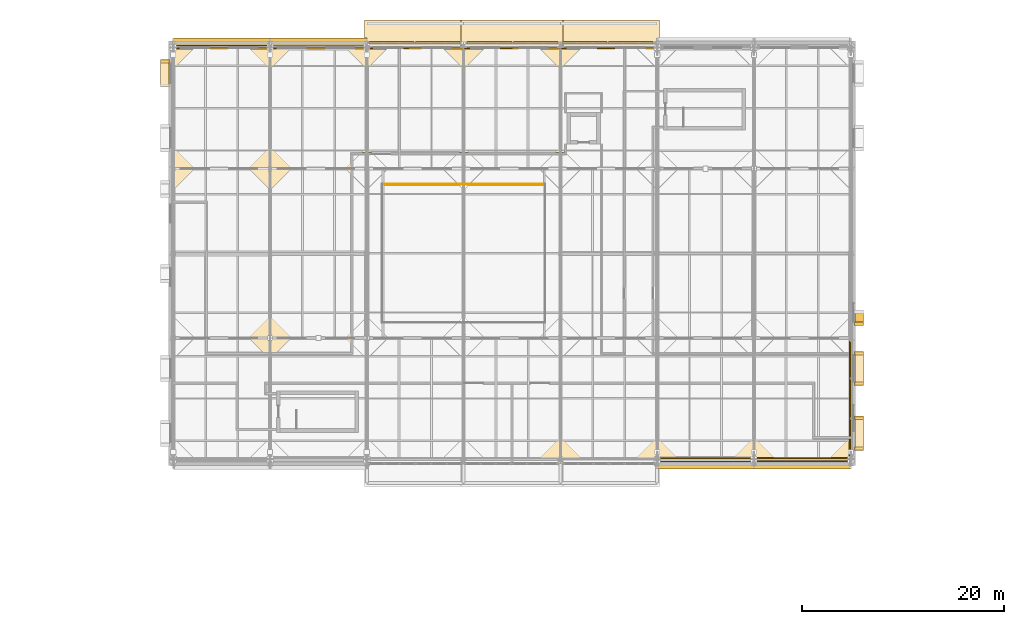
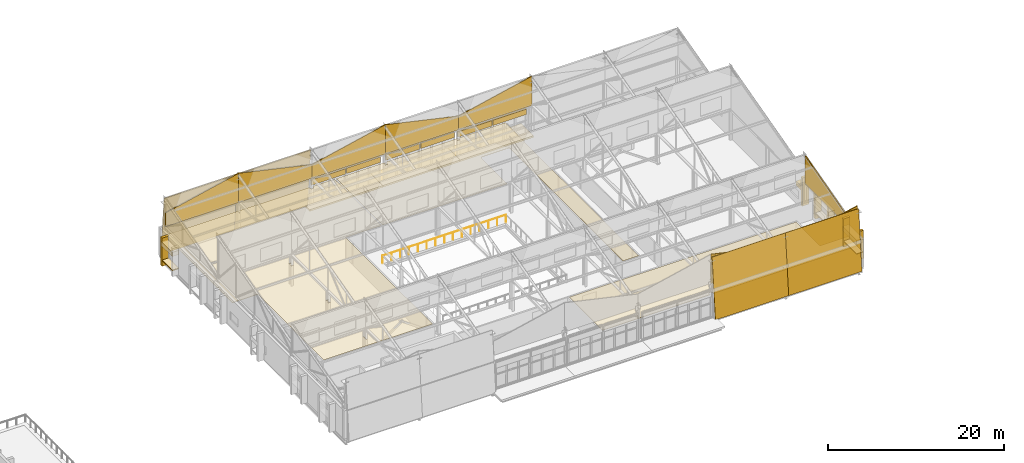
# One storey, part 88 of 89: 37 coverings, 1 railing.
"""IFC4 building model written with IfcOpenShell, lengths in metres."""

from ifc_helpers import new_model, si_unit, direction, frame, origin, origin_2d, place, context, subcontext, project, spatial, polyline, rectangle, circle, outline, extrude, material, layer, layer_set, type_object, element, save


model = new_model("IFC4")

# Units and contexts
model_context = context("Model", 3, precision=1e-05, world=origin(), true_north=direction((0.0, 1.0)))
body_context = subcontext(model_context, "Body", "Model", "MODEL_VIEW")
ifc_project = project(units=[si_unit("LENGTHUNIT", "METRE"), si_unit("AREAUNIT", "SQUARE_METRE"), si_unit("VOLUMEUNIT", "CUBIC_METRE"), si_unit("PLANEANGLEUNIT", "RADIAN"), si_unit("MASSUNIT", "GRAM", prefix="KILO")], contexts=[model_context])

# Site, building, storey
site_placement = place(None, origin())
site = spatial("IfcSite", under=ifc_project, at=site_placement, CompositionType="ELEMENT")
building_placement = place(site_placement, origin())
building = spatial("IfcBuilding", under=site, at=building_placement, Name="Zereglee Splitstone Museum", CompositionType="ELEMENT")
storey_placement = place(building_placement, frame((0.0, 0.0, 21.300048828125)))
storey = spatial("IfcBuildingStorey", under=building, at=storey_placement, Name="L04", CompositionType="ELEMENT", Elevation=21.300048828125)

# Coverings
ifc_material_1 = material(Name="Perforated acoustic gypsum board ceiling", Category="masonry")
ifc_layer_1 = layer(ifc_material_1, 0.044921875)
ifc_layer_set_1 = layer_set([ifc_layer_1], Name="Perforated acoustic gypsum board ceiling")
covering_type_1 = type_object("IfcCoveringType", Name="CLG-02", PredefinedType="CEILING", material=ifc_layer_set_1)
covering_1_placement = place(storey_placement, frame((0.0, 0.0, 2.784912109375)))
element("IfcCovering", 1, at=covering_1_placement, inside=storey, type_object=covering_type_1, Name="Acoustic Ceiling L04-058", PredefinedType="CEILING", context=body_context, shape_type="SweptSolid", body=[
    extrude(outline(polyline([(122.68505859375, 46.138427734375), (122.67333984375, 46.1279296875), (122.672119140625, 46.126708984375), (122.66162109375, 46.114990234375), (122.660400390625, 46.11328125), (122.65087890625, 46.100830078125), (122.64990234375, 46.09912109375), (122.6416015625, 46.085693359375), (122.640869140625, 46.083984375), (122.634033203125, 46.06982421875), (122.63330078125, 46.068115234375), (122.628173828125, 46.05322265625), (122.62744140625, 46.05126953125), (122.623779296875, 46.0361328125), (122.623291015625, 46.0341796875), (122.62109375, 46.0185546875), (122.620849609375, 46.0166015625), (122.6201171875, 46.0009765625), (122.6201171875, 46.0), (122.6201171875, 20.179931640625), (120.580078125, 20.179931640625), (120.580078125, 45.800048828125), (120.580078125, 45.801025390625), (120.5791015625, 45.816650390625), (120.5791015625, 45.818603515625), (120.57666015625, 45.833984375), (120.576416015625, 45.836181640625), (120.572509765625, 45.851318359375), (120.572021484375, 45.853271484375), (120.566650390625, 45.867919921875), (120.56591796875, 45.869873046875), (120.55908203125, 45.884033203125), (120.558349609375, 45.8857421875), (120.55029296875, 45.899169921875), (120.549072265625, 45.90087890625), (120.539794921875, 45.913330078125), (120.53857421875, 45.914794921875), (120.528076171875, 45.926513671875), (120.526611328125, 45.927978515625), (120.514892578125, 45.9384765625), (120.513427734375, 45.939697265625), (120.500732421875, 45.94921875), (120.499267578125, 45.9501953125), (120.485595703125, 45.958251953125), (120.48388671875, 45.959228515625), (120.4697265625, 45.9658203125), (120.468017578125, 45.966796875), (120.453125, 45.971923828125), (120.451416015625, 45.972412109375), (120.43603515625, 45.976318359375), (120.43408203125, 45.976806640625), (120.418701171875, 45.97900390625), (120.416748046875, 45.979248046875), (120.40087890625, 45.97998046875), (120.39990234375, 45.97998046875), (117.0, 45.97998046875), (116.9990234375, 45.97998046875), (116.9833984375, 45.979248046875), (116.9814453125, 45.97900390625), (116.9658203125, 45.976806640625), (116.9638671875, 45.976318359375), (116.94873046875, 45.972412109375), (116.94677734375, 45.971923828125), (116.931884765625, 45.966796875), (116.93017578125, 45.9658203125), (116.916015625, 45.959228515625), (116.914306640625, 45.958251953125), (116.90087890625, 45.9501953125), (116.899169921875, 45.94921875), (116.88671875, 45.939697265625), (116.885009765625, 45.9384765625), (116.873291015625, 45.927978515625), (116.8720703125, 45.926513671875), (116.861572265625, 45.914794921875), (116.8603515625, 45.913330078125), (116.850830078125, 45.90087890625), (116.849853515625, 45.899169921875), (116.841796875, 45.8857421875), (116.8408203125, 45.884033203125), (116.833984375, 45.869873046875), (116.833251953125, 45.867919921875), (116.828125, 45.853271484375), (116.827392578125, 45.851318359375), (116.82373046875, 45.836181640625), (116.8232421875, 45.833984375), (116.821044921875, 45.818603515625), (116.82080078125, 45.816650390625), (116.820068359375, 45.801025390625), (116.820068359375, 45.800048828125), (116.820068359375, 39.97998046875), (100.512939453125, 39.97998046875), (100.512939453125, 50.5400390625), (106.7841796875, 50.5400390625), (106.7841796875, 50.137939453125), (106.64208984375, 50.137939453125), (106.64208984375, 50.092041015625), (106.9580078125, 50.092041015625), (106.9580078125, 50.137939453125), (106.815673828125, 50.137939453125), (106.815673828125, 50.5400390625), (116.3857421875, 50.5400390625), (116.3857421875, 50.25048828125), (116.241943359375, 50.25048828125), (116.241943359375, 50.2119140625), (116.55810546875, 50.2119140625), (116.55810546875, 50.25048828125), (116.414306640625, 50.25048828125), (116.414306640625, 50.5400390625), (122.68701171875, 50.5400390625), (122.68701171875, 46.14013671875), (122.6865234375, 46.1396484375), (122.68505859375, 46.138427734375)])), origin(), (0.0, 0.0, 1.0), 0.044921875),
])
ifc_material_2 = material(Name="Siberian larch acoustic timber ceiling", Category="wood")
ifc_layer_2 = layer(ifc_material_2, 0.06005859375)
ifc_layer_set_2 = layer_set([ifc_layer_2], Name="Siberian larch acoustic timber ceiling")
covering_type_2 = type_object("IfcCoveringType", Name="CLG-01", PredefinedType="CEILING", material=ifc_layer_set_2)
covering_2_placement = place(storey_placement, frame((0.0, 0.0, 2.77001953125)))
element("IfcCovering", 2, at=covering_2_placement, inside=storey, type_object=covering_type_2, Name="Acoustic Ceiling L04-056", PredefinedType="CEILING", context=body_context, shape_type="SweptSolid", body=[
    extrude(outline(polyline([(111.699951171875, 17.02001953125), (141.419921875, 17.02001953125), (141.419921875, 11.800048828125), (141.419921875, 11.799072265625), (141.4208984375, 11.783203125), (141.4208984375, 11.781494140625), (141.42333984375, 11.765869140625), (141.423583984375, 11.763916015625), (141.427490234375, 11.748779296875), (141.427978515625, 11.746826171875), (141.433349609375, 11.73193359375), (141.43408203125, 11.730224609375), (141.44091796875, 11.716064453125), (141.441650390625, 11.71435546875), (141.44970703125, 11.70068359375), (141.450927734375, 11.69921875), (141.460205078125, 11.6865234375), (141.46142578125, 11.68505859375), (141.471923828125, 11.67333984375), (141.473388671875, 11.672119140625), (141.485107421875, 11.66162109375), (141.486572265625, 11.660400390625), (141.499267578125, 11.65087890625), (141.500732421875, 11.64990234375), (141.514404296875, 11.6416015625), (141.51611328125, 11.640869140625), (141.5302734375, 11.634033203125), (141.531982421875, 11.63330078125), (141.546875, 11.628173828125), (141.548583984375, 11.62744140625), (141.56396484375, 11.623779296875), (141.56591796875, 11.623291015625), (141.581298828125, 11.62109375), (141.583251953125, 11.620849609375), (141.59912109375, 11.6201171875), (141.60009765625, 11.6201171875), (145.139892578125, 11.6201171875), (145.139892578125, 9.80810546875), (145.0419921875, 9.80810546875), (145.0419921875, 9.76806640625), (145.139892578125, 9.76806640625), (145.139892578125, 9.4599609375), (135.615966796875, 9.4599609375), (135.615966796875, 9.885986328125), (135.758056640625, 9.885986328125), (135.758056640625, 9.93310546875), (135.44189453125, 9.93310546875), (135.44189453125, 9.885986328125), (135.583984375, 9.885986328125), (135.583984375, 9.4599609375), (126.189697265625, 9.4599609375), (126.196533203125, 9.468505859375), (126.218505859375, 9.509521484375), (126.23193359375, 9.553955078125), (126.236572265625, 9.60009765625), (126.23193359375, 9.64599609375), (126.218505859375, 9.6904296875), (126.196533203125, 9.7314453125), (126.167236328125, 9.76708984375), (126.13134765625, 9.796630859375), (126.090576171875, 9.818603515625), (126.046142578125, 9.83203125), (126.0, 9.83642578125), (125.953857421875, 9.83203125), (125.909423828125, 9.818603515625), (125.86865234375, 9.796630859375), (125.832763671875, 9.76708984375), (125.803466796875, 9.7314453125), (125.781494140625, 9.6904296875), (125.76806640625, 9.64599609375), (125.763427734375, 9.60009765625), (125.76806640625, 9.553955078125), (125.781494140625, 9.509521484375), (125.803466796875, 9.468505859375), (125.810302734375, 9.4599609375), (116.41552734375, 9.4599609375), (116.41552734375, 9.837890625), (116.55810546875, 9.837890625), (116.55810546875, 9.883056640625), (116.241943359375, 9.883056640625), (116.241943359375, 9.837890625), (116.384521484375, 9.837890625), (116.384521484375, 9.4599609375), (111.699951171875, 9.4599609375), (111.699951171875, 17.02001953125)])), origin(), (0.0, 0.0, 1.0), 0.059814453125),
])
covering_3_placement = place(storey_placement, frame((0.0, 0.0, 2.77001953125)))
element("IfcCovering", 3, at=covering_3_placement, inside=storey, type_object=covering_type_2, Name="Acoustic Ceiling L04-057", PredefinedType="CEILING", context=body_context, shape_type="SweptSolid", body=[
    extrude(outline(polyline([(81.3798828125, 35.0), (81.3798828125, 35.0009765625), (81.379150390625, 35.0166015625), (81.37890625, 35.0185546875), (81.376708984375, 35.0341796875), (81.376220703125, 35.0361328125), (81.37255859375, 35.05126953125), (81.371826171875, 35.05322265625), (81.36669921875, 35.068115234375), (81.365966796875, 35.06982421875), (81.359130859375, 35.083984375), (81.3583984375, 35.085693359375), (81.35009765625, 35.09912109375), (81.34912109375, 35.100830078125), (81.339599609375, 35.11328125), (81.33837890625, 35.114990234375), (81.327880859375, 35.126708984375), (81.32666015625, 35.1279296875), (81.31494140625, 35.138427734375), (81.3134765625, 35.1396484375), (81.30078125, 35.149169921875), (81.29931640625, 35.150146484375), (81.28564453125, 35.158203125), (81.283935546875, 35.1591796875), (81.269775390625, 35.166015625), (81.26806640625, 35.166748046875), (81.253173828125, 35.171875), (81.251220703125, 35.172607421875), (81.236083984375, 35.17626953125), (81.234130859375, 35.1767578125), (81.218505859375, 35.178955078125), (81.216796875, 35.17919921875), (81.200927734375, 35.179931640625), (81.199951171875, 35.179931640625), (78.06005859375, 35.179931640625), (78.06005859375, 38.241943359375), (78.157958984375, 38.241943359375), (78.157958984375, 38.55810546875), (78.06005859375, 38.55810546875), (78.06005859375, 50.0419921875), (78.157958984375, 50.0419921875), (78.157958984375, 50.090087890625), (78.06005859375, 50.090087890625), (78.06005859375, 50.5400390625), (87.5849609375, 50.5400390625), (87.5849609375, 50.208984375), (87.44189453125, 50.208984375), (87.44189453125, 50.1669921875), (87.758056640625, 50.1669921875), (87.758056640625, 50.208984375), (87.614990234375, 50.208984375), (87.614990234375, 50.5400390625), (97.01708984375, 50.5400390625), (97.01708984375, 50.217041015625), (97.383056640625, 50.217041015625), (97.383056640625, 50.5400390625), (100.31298828125, 50.5400390625), (100.31298828125, 39.97998046875), (95.800048828125, 39.97998046875), (95.799072265625, 39.97998046875), (95.783203125, 39.979248046875), (95.781494140625, 39.97900390625), (95.765869140625, 39.976806640625), (95.763916015625, 39.976318359375), (95.748779296875, 39.972412109375), (95.746826171875, 39.971923828125), (95.73193359375, 39.966796875), (95.730224609375, 39.9658203125), (95.716064453125, 39.959228515625), (95.71435546875, 39.958251953125), (95.70068359375, 39.9501953125), (95.69921875, 39.94921875), (95.6865234375, 39.939697265625), (95.68505859375, 39.9384765625), (95.67333984375, 39.927978515625), (95.672119140625, 39.926513671875), (95.66162109375, 39.914794921875), (95.660400390625, 39.913330078125), (95.65087890625, 39.90087890625), (95.64990234375, 39.899169921875), (95.6416015625, 39.8857421875), (95.640869140625, 39.884033203125), (95.634033203125, 39.869873046875), (95.63330078125, 39.867919921875), (95.628173828125, 39.853271484375), (95.62744140625, 39.851318359375), (95.623779296875, 39.836181640625), (95.623291015625, 39.833984375), (95.62109375, 39.818603515625), (95.620849609375, 39.816650390625), (95.6201171875, 39.801025390625), (95.6201171875, 39.800048828125), (95.6201171875, 20.199951171875), (95.6201171875, 20.198974609375), (95.620849609375, 20.183349609375), (95.62109375, 20.181396484375), (95.62109375, 20.179931640625), (81.3798828125, 20.179931640625), (81.3798828125, 35.0)]), holes=[polyline([(87.44189453125, 21.907958984375), (87.44189453125, 21.862060546875), (87.584228515625, 21.862060546875), (87.584228515625, 21.337890625), (87.44189453125, 21.337890625), (87.44189453125, 21.2919921875), (87.758056640625, 21.2919921875), (87.758056640625, 21.337890625), (87.61572265625, 21.337890625), (87.61572265625, 21.862060546875), (87.758056640625, 21.862060546875), (87.758056640625, 21.907958984375), (87.44189453125, 21.907958984375)]), polyline([(87.44189453125, 30.282958984375), (87.44189453125, 30.238037109375), (87.58447265625, 30.238037109375), (87.58447265625, 29.761962890625), (87.44189453125, 29.761962890625), (87.44189453125, 29.717041015625), (87.758056640625, 29.717041015625), (87.758056640625, 29.761962890625), (87.615478515625, 29.761962890625), (87.615478515625, 30.238037109375), (87.758056640625, 30.238037109375), (87.758056640625, 30.282958984375), (87.44189453125, 30.282958984375)]), polyline([(87.44189453125, 38.657958984375), (87.44189453125, 38.614013671875), (87.584716796875, 38.614013671875), (87.584716796875, 38.18603515625), (87.44189453125, 38.18603515625), (87.44189453125, 38.14208984375), (87.758056640625, 38.14208984375), (87.758056640625, 38.18603515625), (87.615234375, 38.18603515625), (87.615234375, 38.614013671875), (87.758056640625, 38.614013671875), (87.758056640625, 38.657958984375), (87.44189453125, 38.657958984375)])]), origin(), (0.0, 0.0, 1.0), 0.059814453125),
])
ifc_material_3 = material(Name="Honed Gobi pale limestone stringcourse and soffit cladding", Category="masonry")
ifc_layer_3 = layer(ifc_material_3, 0.070068359375)
ifc_layer_set_3 = layer_set([ifc_layer_3], Name="Honed Gobi pale limestone stringcourse and soffit cladding")
covering_type_3 = type_object("IfcCoveringType", Name="CL-02", PredefinedType="CLADDING", material=ifc_layer_set_3)
for number, where, z_axis, x_axis, name in (
    (4, (146.02490234375, 10.6298828125, 0.0), (0.0, 0.0, 1.0), (0.0, 1.0, 0.0), "Mughal Window Reveal Stone Pilaster L04-0142L"),
    (5, (146.02490234375, 13.669921875, 0.0), (0.0, 0.0, 1.0), (0.0, 1.0, 0.0), "Mughal Window Reveal Stone Pilaster L04-0142R"),
):
    element("IfcCovering", number, at=place(storey_placement, frame(where, z_axis=z_axis, x_axis=x_axis)), inside=storey, type_object=covering_type_3, Name=name, PredefinedType="CLADDING", context=body_context, shape_type="SweptSolid", body=[
        extrude(rectangle(XDim=0.340087890625, YDim=0.860107421875, at=origin_2d()), origin(), (0.0, 0.0, 1.0), 3.89990234375),
    ])
covering_4_placement = place(storey_placement, frame((146.034912109375, 12.14990234375, 0.760009765625), z_axis=(0.0, 0.0, 1.0), x_axis=(0.0, 1.0, 0.0)))
element("IfcCovering", 6, at=covering_4_placement, inside=storey, type_object=covering_type_3, Name="Carved Limestone Window Sill L04-0142", PredefinedType="CLADDING", context=body_context, shape_type="SweptSolid", body=[
    extrude(rectangle(XDim=3.239990234375, YDim=0.840087890625, at=origin_2d()), origin(), (0.0, 0.0, 1.0), 0.1201171875),
])
for number, where, z_axis, x_axis, name in (
    (7, (146.02490234375, 17.050048828125, 0.0), (0.0, 0.0, 1.0), (0.0, 1.0, 0.0), "Mughal Window Reveal Stone Pilaster L04-0143L"),
    (8, (146.02490234375, 20.090087890625, 0.0), (0.0, 0.0, 1.0), (0.0, 1.0, 0.0), "Mughal Window Reveal Stone Pilaster L04-0143R"),
):
    element("IfcCovering", number, at=place(storey_placement, frame(where, z_axis=z_axis, x_axis=x_axis)), inside=storey, type_object=covering_type_3, Name=name, PredefinedType="CLADDING", context=body_context, shape_type="SweptSolid", body=[
        extrude(rectangle(XDim=0.340087890625, YDim=0.860107421875, at=origin_2d()), origin(), (0.0, 0.0, 1.0), 3.89990234375),
    ])
covering_5_placement = place(storey_placement, frame((146.034912109375, 18.570068359375, 0.760009765625), z_axis=(0.0, 0.0, 1.0), x_axis=(0.0, 1.0, 0.0)))
element("IfcCovering", 9, at=covering_5_placement, inside=storey, type_object=covering_type_3, Name="Carved Limestone Window Sill L04-0143", PredefinedType="CLADDING", context=body_context, shape_type="SweptSolid", body=[
    extrude(rectangle(XDim=3.239990234375, YDim=0.840087890625, at=origin_2d()), origin(), (0.0, 0.0, 1.0), 0.1201171875),
])
covering_6_placement = place(storey_placement, frame((146.02490234375, 23.014892578125, 0.0), z_axis=(0.0, 0.0, 1.0), x_axis=(0.0, 1.0, 0.0)))
element("IfcCovering", 10, at=covering_6_placement, inside=storey, type_object=covering_type_3, Name="Mughal Window Reveal Stone Pilaster L04-0144L", PredefinedType="CLADDING", context=body_context, shape_type="SweptSolid", body=[
    extrude(rectangle(XDim=0.340087890625, YDim=0.860107421875, at=origin_2d()), origin(), (0.0, 0.0, 1.0), 3.89990234375),
])
for number, where, z_axis, x_axis, name in (
    (11, (123.3984375, 50.8798828125, 2.804931640625), (0.0, 0.0, 1.0), (-1.0, 0.0, 0.0), "Mughal Carved Clerestory Jaali Frieze RC4-CW-L04-125-1"),
    (12, (118.83154296875, 50.8798828125, 2.784912109375), (0.0, 0.0, 1.0), (-1.0, 0.0, 0.0), "Mughal Carved Clerestory Jaali Frieze RC4-CW-L04-125-2"),
):
    element("IfcCovering", number, at=place(storey_placement, frame(where, z_axis=z_axis, x_axis=x_axis)), inside=storey, type_object=covering_type_3, Name=name, PredefinedType="CLADDING", context=body_context, shape_type="SweptSolid", body=[
        extrude(rectangle(XDim=4.409912109375, YDim=0.239990234375, at=origin_2d()), origin(), (0.0, 0.0, 1.0), 0.75),
    ])
for number, where, z_axis, x_axis, name in (
    (13, (113.9560546875, 50.8798828125, 2.925048828125), (0.0, 0.0, 1.0), (-1.0, 0.0, 0.0), "Mughal Carved Clerestory Jaali Frieze RC4-CW-L04-126-1"),
    (14, (109.364013671875, 50.8798828125, 2.905029296875), (0.0, 0.0, 1.0), (-1.0, 0.0, 0.0), "Mughal Carved Clerestory Jaali Frieze RC4-CW-L04-126-2"),
    (15, (104.23486328125, 50.8798828125, 2.864990234375), (0.0, 0.0, 1.0), (-1.0, 0.0, 0.0), "Mughal Carved Clerestory Jaali Frieze RC4-CW-L04-127-1"),
    (16, (99.64013671875, 50.8798828125, 2.844970703125), (0.0, 0.0, 1.0), (-1.0, 0.0, 0.0), "Mughal Carved Clerestory Jaali Frieze RC4-CW-L04-127-2"),
):
    element("IfcCovering", number, at=place(storey_placement, frame(where, z_axis=z_axis, x_axis=x_axis)), inside=storey, type_object=covering_type_3, Name=name, PredefinedType="CLADDING", context=body_context, shape_type="SweptSolid", body=[
        extrude(rectangle(XDim=4.429931640625, YDim=0.239990234375, at=origin_2d()), origin(), (0.0, 0.0, 1.0), 0.75),
    ])
covering_7_placement = place(storey_placement, frame((77.175048828125, 49.044921875, 0.0), z_axis=(0.0, 0.0, 1.0), x_axis=(0.0, -1.0, 0.0)))
element("IfcCovering", 17, at=covering_7_placement, inside=storey, type_object=covering_type_3, Name="Mughal Window Reveal Stone Pilaster L04-0147L", PredefinedType="CLADDING", context=body_context, shape_type="SweptSolid", body=[
    extrude(rectangle(XDim=0.340087890625, YDim=0.860107421875, at=origin_2d()), origin(), (0.0, 0.0, 1.0), 3.89990234375),
])
covering_8_placement = place(storey_placement, frame((77.1650390625, 47.85009765625, 0.760009765625), z_axis=(0.0, 0.0, 1.0), x_axis=(0.0, -1.0, 0.0)))
element("IfcCovering", 18, at=covering_8_placement, inside=storey, type_object=covering_type_3, Name="Carved Limestone Window Sill L04-0147", PredefinedType="CLADDING", context=body_context, shape_type="SweptSolid", body=[
    extrude(rectangle(XDim=2.590087890625, YDim=0.840087890625, at=origin_2d()), origin(), (0.0, 0.0, 1.0), 0.1201171875),
])
covering_9_placement = place(storey_placement, frame((126.0, 8.612060546875, -0.25), z_axis=(0.0, -0.995861258776, 0.09088648562), x_axis=(1.0, 0.0, 0.0)))
element("IfcCovering", 19, at=covering_9_placement, inside=storey, type_object=covering_type_3, Name="Split-Rock Continuous Inclined Facet FH-V2SE L04.1", PredefinedType="CLADDING", context=body_context, shape_type="SweptSolid", body=[
    extrude(outline(polyline([(0.0, 0.0), (9.60009765625, 0.0), (9.60009765625, 8.28428651812085), (0.0, 8.28428651812085), (0.0, 0.0)])), origin(), (0.0, 0.0, -1.0), 0.070068359375),
])
covering_10_placement = place(storey_placement, frame((135.60009765625, 8.612060546875, -0.25), z_axis=(0.0, -0.995861258776, 0.09088648562), x_axis=(1.0, 0.0, 0.0)))
element("IfcCovering", 20, at=covering_10_placement, inside=storey, type_object=covering_type_3, Name="Split-Rock Continuous Inclined Facet FH-V2SE L04.2", PredefinedType="CLADDING", context=body_context, shape_type="SweptSolid", body=[
    extrude(outline(polyline([(0.0, 0.0), (9.599853515625, 0.0), (9.599853515625, 8.28428651812085), (0.0, 8.28428651812085), (0.0, 0.0)])), origin(), (0.0, 0.0, -1.0), 0.070068359375),
])
ifc_material_4 = material(Name="Honed Khoroo red sandstone ventilated rainscreen", Category="masonry")
ifc_layer_4 = layer(ifc_material_4, 0.080078125)
ifc_layer_set_4 = layer_set([ifc_layer_4], Name="Honed Khoroo red sandstone ventilated rainscreen")
covering_type_4 = type_object("IfcCoveringType", Name="CL-01", PredefinedType="CLADDING", material=ifc_layer_set_4)
for number, where, z_axis, x_axis, name in (
    (21, (146.034912109375, 12.14990234375, 2.159912109375), (0.0, 0.0, 1.0), (0.0, 1.0, 0.0), "Pointed-Arch Mughal Window Hood L04-0142"),
    (22, (146.034912109375, 18.570068359375, 2.159912109375), (0.0, 0.0, 1.0), (0.0, 1.0, 0.0), "Pointed-Arch Mughal Window Hood L04-0143"),
):
    element("IfcCovering", number, at=place(storey_placement, frame(where, z_axis=z_axis, x_axis=x_axis)), inside=storey, type_object=covering_type_4, Name=name, PredefinedType="CLADDING", context=body_context, shape_type="SweptSolid", body=[
        extrude(rectangle(XDim=3.239990234375, YDim=0.860107421875, at=origin_2d()), origin(), (0.0, 0.0, 1.0), 0.580078125),
    ])
covering_11_placement = place(storey_placement, frame((146.034912109375, 23.610107421875, 2.059814453125), z_axis=(0.0, 0.0, 1.0), x_axis=(0.0, 1.0, 0.0)))
element("IfcCovering", 23, at=covering_11_placement, inside=storey, type_object=covering_type_4, Name="Pointed-Arch Mughal Window Hood L04-0144", PredefinedType="CLADDING", context=body_context, shape_type="SweptSolid", body=[
    extrude(rectangle(XDim=1.389892578125, YDim=0.860107421875, at=origin_2d()), origin(), (0.0, 0.0, 1.0), 0.580078125),
])
covering_12_placement = place(storey_placement, frame((77.1650390625, 47.85009765625, 2.760009765625), z_axis=(0.0, 0.0, 1.0), x_axis=(0.0, -1.0, 0.0)))
element("IfcCovering", 24, at=covering_12_placement, inside=storey, type_object=covering_type_4, Name="Pointed-Arch Mughal Window Hood L04-0147", PredefinedType="CLADDING", context=body_context, shape_type="SweptSolid", body=[
    extrude(rectangle(XDim=2.590087890625, YDim=0.860107421875, at=origin_2d()), origin(), (0.0, 0.0, 1.0), 0.580078125),
])
covering_13_placement = place(storey_placement, frame((78.0, 50.6201171875, 8.0), z_axis=(0.0, 0.995861258776, 0.09088648562), x_axis=(1.0, 0.0, 0.0)))
element("IfcCovering", 25, at=covering_13_placement, inside=storey, type_object=covering_type_4, Name="Split-Rock Continuous Inclined Facet FH-V2NW L04.1", PredefinedType="CLADDING", context=body_context, shape_type="SweptSolid", body=[
    extrude(outline(polyline([(0.0, 0.0), (9.60009765625, 0.0), (9.60009765625, 8.28428651812085), (0.0, 8.28428651812085), (0.0, 0.0)])), origin(), (0.0, 0.0, -1.0), 0.080078125),
])
covering_14_placement = place(storey_placement, frame((87.60009765625, 50.6201171875, 8.0), z_axis=(0.0, 0.995861258776, 0.09088648562), x_axis=(1.0, 0.0, 0.0)))
element("IfcCovering", 26, at=covering_14_placement, inside=storey, type_object=covering_type_4, Name="Split-Rock Continuous Inclined Facet FH-V2NW L04.2", PredefinedType="CLADDING", context=body_context, shape_type="SweptSolid", body=[
    extrude(outline(polyline([(0.0, 0.0), (9.599853515625, 0.0), (9.599853515625, 8.28428651812085), (0.0, 8.28428651812085), (0.0, 0.0)])), origin(), (0.0, 0.0, -1.0), 0.080078125),
])
covering_15_placement = place(storey_placement, frame((78.0, 50.39990234375, 6.099853515625), z_axis=(0.0, 1.0, 0.0), x_axis=(0.975824263924, 0.0, 0.218556642398)))
element("IfcCovering", 27, at=covering_15_placement, inside=storey, type_object=covering_type_4, Name="Sawtooth Split-Rock Cheek Cladding N Bay 1", PredefinedType="CLADDING", context=body_context, shape_type="SweptSolid", body=[
    extrude(outline(polyline([(0.0, 0.0), (9.837937025301947, 4.440892098500626e-16), (8.952771951878153, 3.9521359165630097), (-0.4152362771344846, 1.8539708061181106), (0.0, 0.0)])), origin(), (0.0, 0.0, -1.0), 0.1201171875),
])
covering_16_placement = place(storey_placement, frame((87.60009765625, 50.39990234375, 8.25), z_axis=(0.0, 1.0, 0.0), x_axis=(0.975823078484, 0.0, -0.218561935154)))
element("IfcCovering", 28, at=covering_16_placement, inside=storey, type_object=covering_type_4, Name="Sawtooth Split-Rock Cheek Cladding N Bay 2", PredefinedType="CLADDING", context=body_context, shape_type="SweptSolid", body=[
    extrude(outline(polyline([(0.0, 0.0), (9.837698787100967, 4.440892098500626e-16), (10.25294511995537, 1.8539685538966713), (0.8851865093448589, 3.952131115470557), (0.0, 0.0)])), origin(), (0.0, 0.0, -1.0), 0.1201171875),
])
covering_17_placement = place(storey_placement, frame((97.199951171875, 50.39990234375, 6.099853515625), z_axis=(0.0, 1.0, 0.0), x_axis=(0.975824263924, 0.0, 0.218556642398)))
element("IfcCovering", 29, at=covering_17_placement, inside=storey, type_object=covering_type_4, Name="Sawtooth Split-Rock Cheek Cladding N Bay 3", PredefinedType="CLADDING", context=body_context, shape_type="SweptSolid", body=[
    extrude(outline(polyline([(0.0, 0.0), (9.837937025301947, 4.440892098500626e-16), (8.952771951878153, 3.9521359165630097), (-0.4152362771344846, 1.8539708061181106), (0.0, 0.0)])), origin(), (0.0, 0.0, -1.0), 0.1201171875),
])
covering_18_placement = place(storey_placement, frame((106.800048828125, 50.39990234375, 8.25), z_axis=(0.0, 1.0, 0.0), x_axis=(0.975823078484, 0.0, -0.218561935154)))
element("IfcCovering", 30, at=covering_18_placement, inside=storey, type_object=covering_type_4, Name="Sawtooth Split-Rock Cheek Cladding N Bay 4", PredefinedType="CLADDING", context=body_context, shape_type="SweptSolid", body=[
    extrude(outline(polyline([(0.0, 0.0), (9.837698787100967, 4.440892098500626e-16), (10.25294511995537, 1.8539685538966713), (0.8851865093448589, 3.952131115470557), (0.0, 0.0)])), origin(), (0.0, 0.0, -1.0), 0.1201171875),
])
covering_19_placement = place(storey_placement, frame((116.39990234375, 50.39990234375, 6.099853515625), z_axis=(0.0, 1.0, 0.0), x_axis=(0.975824263924, 0.0, 0.218556642398)))
element("IfcCovering", 31, at=covering_19_placement, inside=storey, type_object=covering_type_4, Name="Sawtooth Split-Rock Cheek Cladding N Bay 5", PredefinedType="CLADDING", context=body_context, shape_type="SweptSolid", body=[
    extrude(outline(polyline([(0.0, 0.0), (9.837937025301947, 4.440892098500626e-16), (8.952771951878153, 3.9521359165630097), (-0.4152362771344846, 1.8539708061181106), (0.0, 0.0)])), origin(), (0.0, 0.0, -1.0), 0.1201171875),
])
covering_20_placement = place(storey_placement, frame((126.0, 9.60009765625, 4.199951171875), z_axis=(0.0, -1.0, 0.0), x_axis=(1.0, 0.0, 0.0)))
element("IfcCovering", 32, at=covering_20_placement, inside=storey, type_object=covering_type_4, Name="Sawtooth Split-Rock Cheek Cladding S Bay 6", PredefinedType="CLADDING", context=body_context, shape_type="SweptSolid", body=[
    extrude(outline(polyline([(0.0, 0.0), (9.60009765625, 0.0), (9.60009765625, 1.89990234375), (0.0, 4.050048828125), (0.0, 0.0)])), origin(), (0.0, 0.0, -1.0), 0.1201171875),
])
covering_21_placement = place(storey_placement, frame((135.60009765625, 9.60009765625, 4.199951171875), z_axis=(0.0, -1.0, 0.0), x_axis=(1.0, 0.0, 0.0)))
element("IfcCovering", 33, at=covering_21_placement, inside=storey, type_object=covering_type_4, Name="Sawtooth Split-Rock Cheek Cladding S Bay 7", PredefinedType="CLADDING", context=body_context, shape_type="SweptSolid", body=[
    extrude(outline(polyline([(0.0, 0.0), (9.599853515625, 0.0), (9.599853515625, 4.050048828125), (0.0, 1.89990234375), (0.0, 0.0)])), origin(), (0.0, 0.0, -1.0), 0.1201171875),
])
covering_22_placement = place(storey_placement, frame((145.199951171875, 9.75, 4.199951171875), z_axis=(1.0, 0.0, 0.0), x_axis=(0.0, 1.0, 0.0)))
element("IfcCovering", 34, at=covering_22_placement, inside=storey, type_object=covering_type_4, Name="Sawtooth End Gable Split-Rock Cladding E-1", PredefinedType="CLADDING", context=body_context, shape_type="SweptSolid", body=[
    extrude(outline(polyline([(0.0, 0.0), (11.550048828125, 0.0), (11.550048828125, 3.919921875), (0.0, 0.719970703125), (0.0, 0.0)])), origin(), (0.0, 0.0, -1.0), 0.1201171875),
])

# Railing
ifc_material_5 = material(Name="Glazed laminated glass and bronze balustrade", Category="glass")
railing_type = type_object("IfcRailingType", Name="GR-02", PredefinedType="BALUSTRADE", material=ifc_material_5)
railing_placement = place(storey_placement, frame((114.8798828125, 36.8798828125, 0.0)))
element("IfcRailing", 35, at=railing_placement, inside=storey, type_object=railing_type, Name="Atrium Glazed Balustrade L04 Side 3", PredefinedType="BALUSTRADE", context=body_context, shape_type="SweptSolid", body=[
    extrude(circle(Radius=0.02392578125, at=origin_2d()), frame((0.0, 0.0, 1.076416015625), z_axis=(-1.0, 0.0, 0.0), x_axis=(0.0, -1.0, 0.0)), (0.0, 0.0, 1.0), 16.159912109375),
    extrude(circle(Radius=0.02099609375, at=origin_2d()), origin(), (0.0, 0.0, 1.0), 1.052001953125),
    extrude(circle(Radius=0.02099609375, at=origin_2d()), frame((-1.154296875, 0.0, 0.0)), (0.0, 0.0, 1.0), 1.052001953125),
    extrude(circle(Radius=0.02099609375, at=origin_2d()), frame((-2.30859375, 0.0, 0.0)), (0.0, 0.0, 1.0), 1.052001953125),
    extrude(circle(Radius=0.02099609375, at=origin_2d()), frame((-3.462890625, 0.0, 0.0)), (0.0, 0.0, 1.0), 1.052001953125),
    extrude(circle(Radius=0.02099609375, at=origin_2d()), frame((-4.6171875, 0.0, 0.0)), (0.0, 0.0, 1.0), 1.052001953125),
    extrude(circle(Radius=0.02099609375, at=origin_2d()), frame((-5.771484375, 0.0, 0.0)), (0.0, 0.0, 1.0), 1.052001953125),
    extrude(circle(Radius=0.02099609375, at=origin_2d()), frame((-6.92578125, 0.0, 0.0)), (0.0, 0.0, 1.0), 1.052001953125),
    extrude(circle(Radius=0.02099609375, at=origin_2d()), frame((-8.080078125, 0.0, 0.0)), (0.0, 0.0, 1.0), 1.052001953125),
    extrude(circle(Radius=0.02099609375, at=origin_2d()), frame((-9.234130859375, 0.0, 0.0)), (0.0, 0.0, 1.0), 1.052001953125),
    extrude(circle(Radius=0.02099609375, at=origin_2d()), frame((-10.388427734375, 0.0, 0.0)), (0.0, 0.0, 1.0), 1.052001953125),
    extrude(circle(Radius=0.02099609375, at=origin_2d()), frame((-11.542724609375, 0.0, 0.0)), (0.0, 0.0, 1.0), 1.052001953125),
    extrude(circle(Radius=0.02099609375, at=origin_2d()), frame((-12.697021484375, 0.0, 0.0)), (0.0, 0.0, 1.0), 1.052001953125),
    extrude(circle(Radius=0.02099609375, at=origin_2d()), frame((-13.851318359375, 0.0, 0.0)), (0.0, 0.0, 1.0), 1.052001953125),
    extrude(circle(Radius=0.02099609375, at=origin_2d()), frame((-15.005615234375, 0.0, 0.0)), (0.0, 0.0, 1.0), 1.052001953125),
    extrude(circle(Radius=0.02099609375, at=origin_2d()), frame((-16.159912109375, 0.0, 0.0)), (0.0, 0.0, 1.0), 1.052001953125),
])

# Coverings
ifc_material_6 = material(Name="Honed Khoroo red sandstone chhajja eave coping", Category="masonry")
ifc_layer_5 = layer(ifc_material_6, 0.110107421875)
ifc_layer_set_5 = layer_set([ifc_layer_5], Name="Honed Khoroo red sandstone chhajja eave coping")
covering_type_5 = type_object("IfcCoveringType", Name="RF-C2", PredefinedType="ROOFING", material=ifc_layer_set_5)
covering_23_placement = place(storey_placement, frame((0.0, 0.0, -0.35498046875)))
element("IfcCovering", 36, at=covering_23_placement, inside=storey, type_object=covering_type_5, Name="Mughal Pishtaq Carved Cornice Deck PSQ-ATRN-1", PredefinedType="ROOFING", context=body_context, shape_type="SweptSolid", body=[
    extrude(outline(polyline([(96.949951171875, 50.35009765625), (107.050048828125, 50.35009765625), (107.050048828125, 53.14990234375), (96.949951171875, 53.14990234375), (96.949951171875, 50.35009765625)])), origin(), (0.0, 0.0, 1.0), 0.219970703125),
])
covering_24_placement = place(storey_placement, frame((0.0, 0.0, -0.35498046875)))
element("IfcCovering", 37, at=covering_24_placement, inside=storey, type_object=covering_type_5, Name="Mughal Pishtaq Carved Cornice Deck PSQ-ATRN-2", PredefinedType="ROOFING", context=body_context, shape_type="SweptSolid", body=[
    extrude(outline(polyline([(106.550048828125, 50.35009765625), (116.64990234375, 50.35009765625), (116.64990234375, 53.14990234375), (106.550048828125, 53.14990234375), (106.550048828125, 50.35009765625)])), origin(), (0.0, 0.0, 1.0), 0.219970703125),
])
covering_25_placement = place(storey_placement, frame((0.0, 0.0, -0.35498046875)))
element("IfcCovering", 38, at=covering_25_placement, inside=storey, type_object=covering_type_5, Name="Mughal Pishtaq Carved Cornice Deck PSQ-ATRN-3", PredefinedType="ROOFING", context=body_context, shape_type="SweptSolid", body=[
    extrude(outline(polyline([(116.14990234375, 50.35009765625), (126.25, 50.35009765625), (126.25, 53.14990234375), (116.14990234375, 53.14990234375), (116.14990234375, 50.35009765625)])), origin(), (0.0, 0.0, 1.0), 0.219970703125),
])

save(model, "model.ifc")
